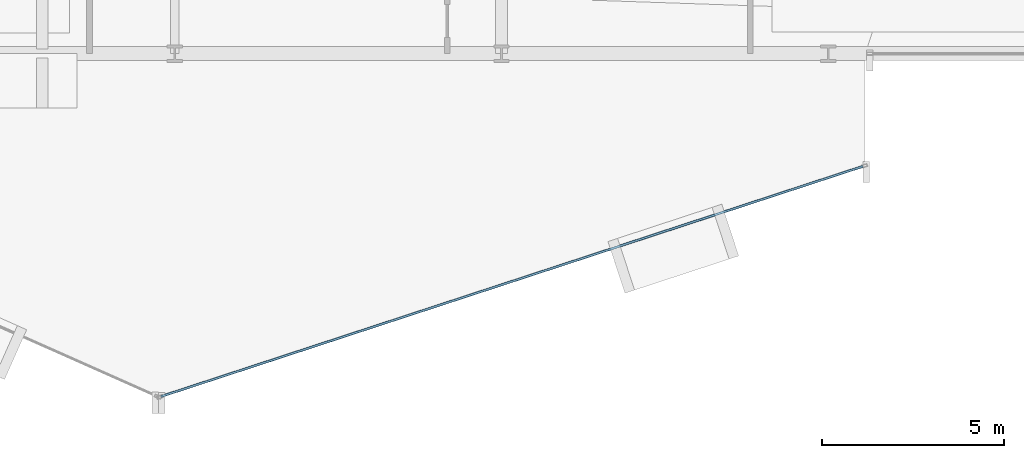
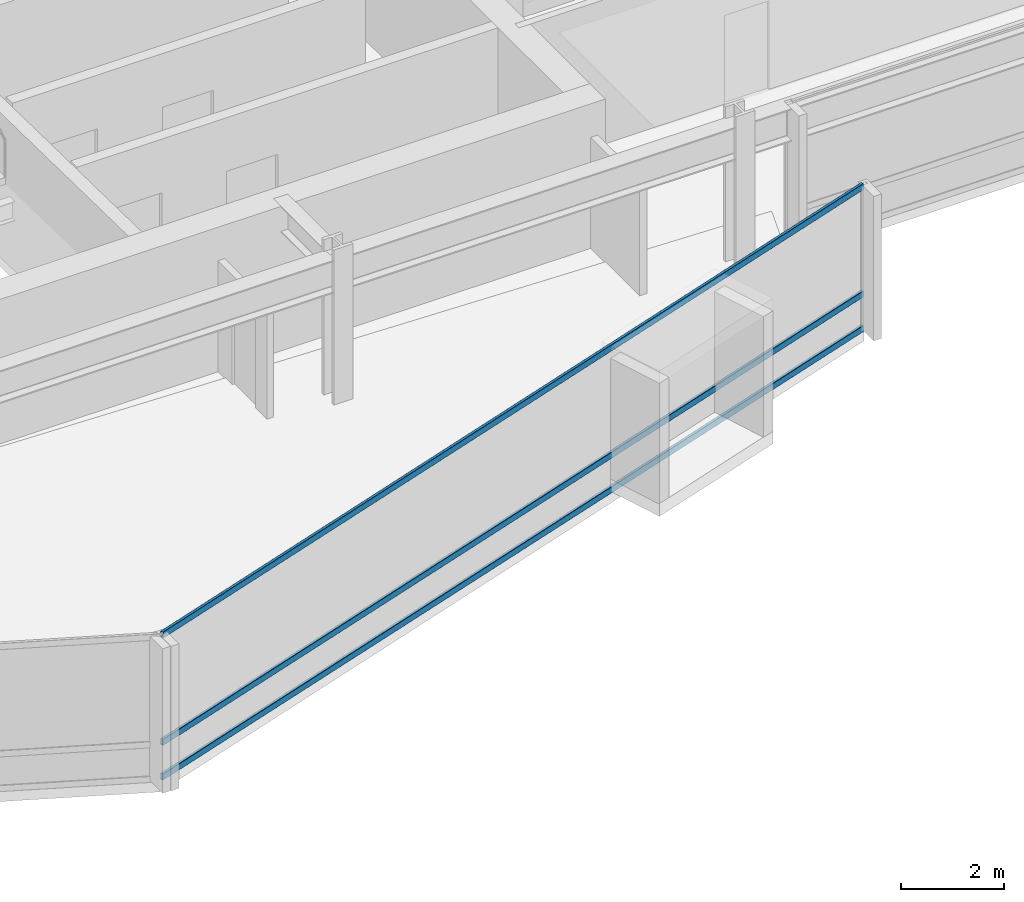
# One storey, part 9 of 34: 3 members, 1 element without a shape of its own.
"""IFC4 building model written with IfcOpenShell, lengths in metres."""

from ifc_helpers import new_model, si_unit, direction, frame, origin, origin_2d, place, context, subcontext, project, spatial, hollow_rectangle, extrude, material, layer, layer_set, material_profile, profile_set, type_object, element, aggregate, save


model = new_model("IFC4")

# Units and contexts
model_context = context("Model", 3, precision=1e-05, world=origin(), true_north=direction((0.0, 1.0)))
body_context = subcontext(model_context, "Body", "Model", "MODEL_VIEW")
ifc_project = project(units=[si_unit("LENGTHUNIT", "METRE"), si_unit("AREAUNIT", "SQUARE_METRE"), si_unit("VOLUMEUNIT", "CUBIC_METRE"), si_unit("PLANEANGLEUNIT", "RADIAN"), si_unit("MASSUNIT", "GRAM", prefix="KILO")], contexts=[model_context])

# Site, building, storey
site_placement = place(None, origin())
site = spatial("IfcSite", under=ifc_project, at=site_placement, CompositionType="ELEMENT")
building_placement = place(site_placement, origin())
building = spatial("IfcBuilding", under=site, at=building_placement, Name="Solvaryn Broadcast Tower", CompositionType="ELEMENT")
storey_placement = place(building_placement, frame((0.0, 0.0, 92.800048828125)))
storey = spatial("IfcBuildingStorey", under=building, at=storey_placement, Name="L22", CompositionType="ELEMENT", Elevation=92.800048828125)

# Curtain wall, members
ifc_material_1 = material(Name="Aluminium and Terracotta Unitised Curtain Wall", Category="masonry")
ifc_layer = layer(ifc_material_1, 0.199951171875)
ifc_layer_set = layer_set([ifc_layer], Name="CW-SYS2-LOWMID")
curtain_wall_type = type_object("IfcCurtainWallType", Name="CW-SYS2-LOWMID", PredefinedType="NOTDEFINED", material=ifc_layer_set)
curtain_wall_placement = place(storey_placement, origin())
curtain_wall = element("IfcCurtainWall", 1, at=curtain_wall_placement, inside=storey, type_object=curtain_wall_type, Name="L22 Curtain Wall DR4", PredefinedType="NOTDEFINED")
ifc_material_2 = material(Name="Anodised Aluminium 6063-T6", Category="aluminium")
ifc_material_profile = material_profile(ifc_material_2, hollow_rectangle(XDim=0.06494140625, YDim=0.14990234375, WallThickness=0.00390625, InnerFilletRadius=0.00390625, OuterFilletRadius=0.008056640625, at=origin_2d()))
ifc_profile_set = profile_set([ifc_material_profile], Name="Anodised Aluminium 6063-T6")
member_type = type_object("IfcMemberType", Name="CW-TRN-150", PredefinedType="USERDEFINED", material=ifc_profile_set)
member_1_placement = place(storey_placement, frame((26.616943359375, -0.4453125, 0.030029296875), z_axis=(0.950216792475, 0.311589549406, 0.0), x_axis=(-0.311589549406, 0.950216792475, 0.0)))
member_1 = element("IfcMember", 2, at=member_1_placement, type_object=member_type, Name="CWS2 transom 1.1", ObjectType="TRANSOM", PredefinedType="USERDEFINED", context=body_context, shape_type="SweptSolid", body=[
    extrude(hollow_rectangle(XDim=0.06494140625, YDim=0.14990234375, WallThickness=0.00390625, InnerFilletRadius=0.00390625, OuterFilletRadius=0.008056640625, at=origin_2d()), origin(), (0.0, 0.0, 1.0), 20.35546875),
])
member_2_placement = place(storey_placement, frame((26.616943359375, -0.4453125, 0.849853515625), z_axis=(0.950216792475, 0.311589549406, 0.0), x_axis=(-0.311589549406, 0.950216792475, 0.0)))
member_2 = element("IfcMember", 3, at=member_2_placement, type_object=member_type, Name="CWS2 transom 1.2", ObjectType="TRANSOM", PredefinedType="USERDEFINED", context=body_context, shape_type="SweptSolid", body=[
    extrude(hollow_rectangle(XDim=0.06494140625, YDim=0.14990234375, WallThickness=0.00390625, InnerFilletRadius=0.00390625, OuterFilletRadius=0.008056640625, at=origin_2d()), origin(), (0.0, 0.0, 1.0), 20.35546875),
])
member_3_placement = place(storey_placement, frame((26.616943359375, -0.4453125, 3.389892578125), z_axis=(0.950216792475, 0.311589549406, 0.0), x_axis=(-0.311589549406, 0.950216792475, 0.0)))
member_3 = element("IfcMember", 4, at=member_3_placement, type_object=member_type, Name="CWS2 transom 1.3", ObjectType="TRANSOM", PredefinedType="USERDEFINED", context=body_context, shape_type="SweptSolid", body=[
    extrude(hollow_rectangle(XDim=0.06494140625, YDim=0.14990234375, WallThickness=0.00390625, InnerFilletRadius=0.00390625, OuterFilletRadius=0.008056640625, at=origin_2d()), origin(), (0.0, 0.0, 1.0), 20.35546875),
])
aggregate(curtain_wall, [member_1, member_2, member_3])

save(model, "model.ifc")
